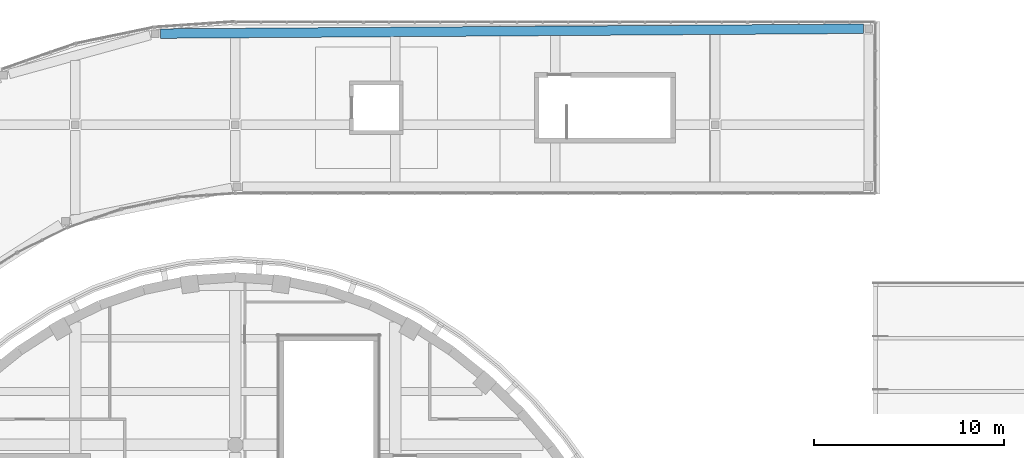
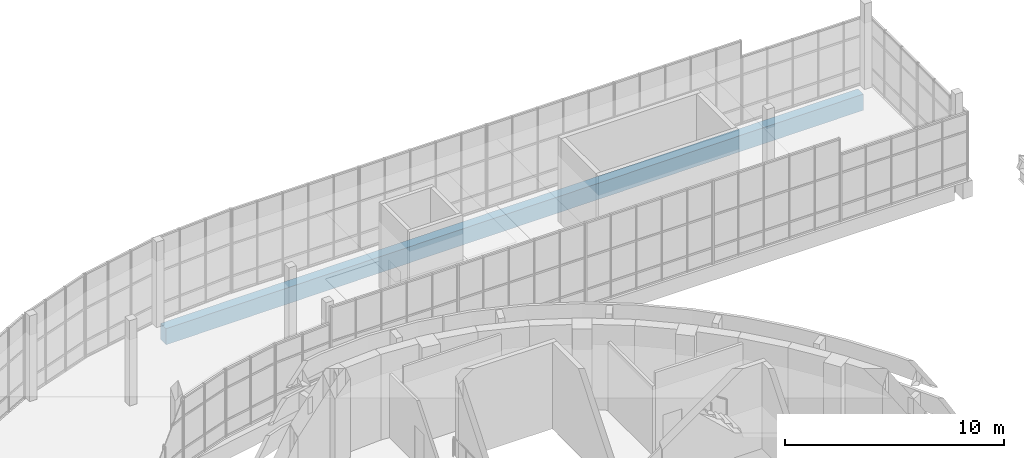
# One storey, part 32 of 103: 1 beam.
"""IFC4 building model written with IfcOpenShell, lengths in metres."""

from ifc_helpers import new_model, si_unit, direction, frame, origin, origin_2d, place, context, subcontext, project, spatial, rectangle, extrude, material, material_profile, profile_set, type_object, element, save


model = new_model("IFC4")

# Units and contexts
model_context = context("Model", 3, precision=1e-05, world=origin(), true_north=direction((0.0, 1.0)))
body_context = subcontext(model_context, "Body", "Model", "MODEL_VIEW")
ifc_project = project(units=[si_unit("LENGTHUNIT", "METRE"), si_unit("AREAUNIT", "SQUARE_METRE"), si_unit("VOLUMEUNIT", "CUBIC_METRE"), si_unit("PLANEANGLEUNIT", "RADIAN"), si_unit("MASSUNIT", "GRAM", prefix="KILO")], contexts=[model_context])

# Site, building, storey
site_placement = place(None, origin())
site = spatial("IfcSite", under=ifc_project, at=site_placement, CompositionType="ELEMENT")
building_placement = place(site_placement, origin())
building = spatial("IfcBuilding", under=site, at=building_placement, Name="Larchfold Concert Hall", CompositionType="ELEMENT")
storey_placement = place(building_placement, frame((0.0, 0.0, 9.60009765625)))
storey = spatial("IfcBuildingStorey", under=building, at=storey_placement, Name="L02", CompositionType="ELEMENT", Elevation=9.60009765625)

# Beam
ifc_material = material(Name="Concrete C35/45", Category="concrete")
ifc_material_profile = material_profile(ifc_material, rectangle(XDim=0.5, YDim=0.89990234375, at=origin_2d()))
ifc_profile_set = profile_set([ifc_material_profile], Name="Concrete C35/45")
beam_type = type_object("IfcBeamType", Name="Beam RC 500x900", PredefinedType="BEAM", material=ifc_profile_set)
beam_placement = place(storey_placement, frame((38.671875, 131.392822265625, -0.60009765625), z_axis=(0.999976096752, 0.006914182824, 0.0), x_axis=(-0.006914182824, 0.999976096752, 0.0)))
element("IfcBeam", 1, at=beam_placement, inside=storey, type_object=beam_type, Name="Beam B1949", PredefinedType="BEAM", context=body_context, shape_type="SweptSolid", body=[
    extrude(rectangle(XDim=0.5, YDim=0.89990234375, at=origin_2d()), origin(), (0.0, 0.0, 1.0), 36.899169921875),
])

save(model, "model.ifc")
